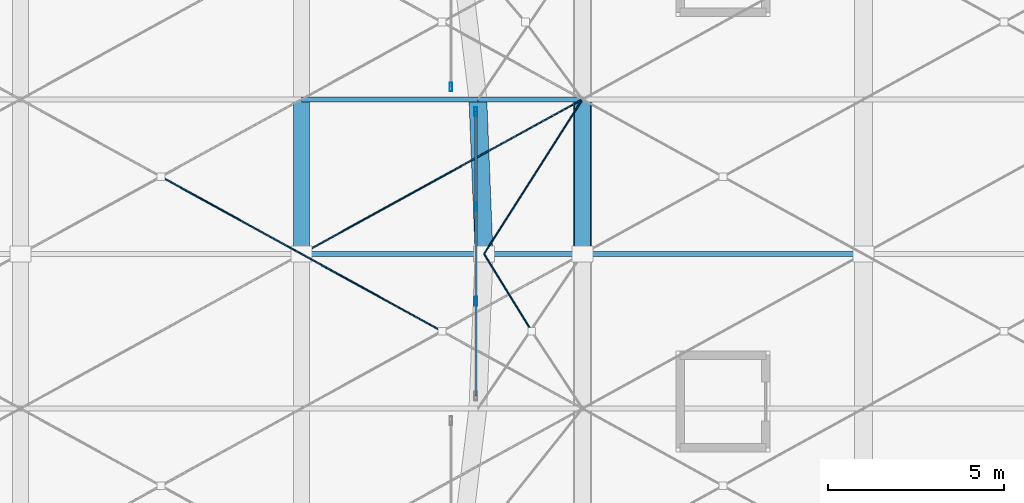
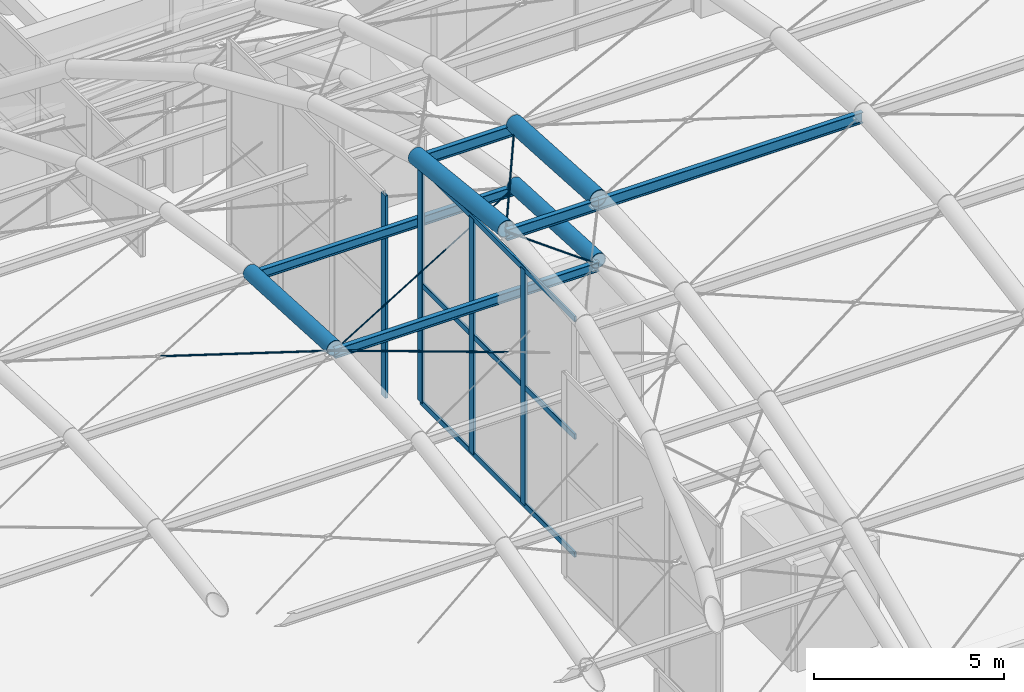
# One storey, part 45 of 163: 12 members, 9 beams, 2 elements without a shape of their own.
"""IFC4 building model written with IfcOpenShell, lengths in metres."""

import ifcopenshell
import ifcopenshell.guid

model = None  # the IFC model being written
_history = None  # IfcOwnerHistory: only IFC2X3 demands one
_inside = {}  # id of a spatial element -> (the spatial element, [elements in it])
_under = {}  # id of a project, library or spatial element -> (it, [spatial elements below it])
_declared = {}  # id of a project -> (the project, [libraries it declares])
_typed = {}  # id of a type object -> (the type object, [elements of that type])
_made_of = {}  # id of a material, layer set ... -> (it, [elements and type objects made of it])


def new_model(schema):
    """Start an empty IFC model of exactly this schema.

    Asked for "IFC4X3", IfcOpenShell would pick the latest addendum, in which some entities
    have other attributes; the version numbers below select the first issue.
    IFC2X3 requires an IfcOwnerHistory on every rooted entity: one is made here for all.
    """
    global model, _history
    if schema == "IFC4X3":
        model = ifcopenshell.file(schema_version=(4, 3, 0, 0))
    else:
        model = ifcopenshell.file(schema=schema)
    _inside.clear()
    _under.clear()
    _declared.clear()
    _typed.clear()
    _made_of.clear()
    _history = None
    if model.schema == "IFC2X3":
        org = make("IfcOrganization", Name="unknown")
        user = make(
            "IfcPersonAndOrganization",
            ThePerson=make("IfcPerson", FamilyName="unknown"),
            TheOrganization=org,
        )
        app = make(
            "IfcApplication",
            ApplicationDeveloper=org,
            Version="unknown",
            ApplicationFullName="unknown",
            ApplicationIdentifier="unknown",
        )
        _history = make(
            "IfcOwnerHistory",
            OwningUser=user,
            OwningApplication=app,
            ChangeAction="ADDED",
            CreationDate=0,
        )
    return model


def make(cls, **values):
    """One entity of the class cls with the attributes given. An attribute that is None is left unset."""
    return model.create_entity(
        cls, **{name: value for name, value in values.items() if value is not None}
    )


def rooted(cls, **values):
    """An entity with a GlobalId (a new one), such as an element, a storey or a relation."""
    return make(cls, GlobalId=ifcopenshell.guid.new(), OwnerHistory=_history, **values)


def si_unit(unit_type, name, prefix=None):
    """IfcSIUnit, for example si_unit("LENGTHUNIT", "METRE", prefix="MILLI")."""
    return make("IfcSIUnit", UnitType=unit_type, Prefix=prefix, Name=name)


def assignment(units):
    """IfcUnitAssignment: the units of a project."""
    return None if units is None else make("IfcUnitAssignment", Units=units)


def point(xyz):
    """IfcCartesianPoint."""
    return None if xyz is None else make("IfcCartesianPoint", Coordinates=xyz)


def direction(xyz):
    """IfcDirection."""
    return None if xyz is None else make("IfcDirection", DirectionRatios=xyz)


def frame(location, z_axis=None, x_axis=None):
    """IfcAxis2Placement3D, a coordinate frame: its origin and axes. An axis left out is left unset."""
    return make(
        "IfcAxis2Placement3D",
        Location=point(location),
        Axis=direction(z_axis),
        RefDirection=direction(x_axis),
    )


def frame_2d(location, x_axis=None):
    """IfcAxis2Placement2D, a coordinate frame in the plane: its origin and x axis."""
    return make(
        "IfcAxis2Placement2D", Location=point(location), RefDirection=direction(x_axis)
    )


def origin():
    """The frame at (0, 0, 0) with its axes left unset."""
    return frame((0.0, 0.0, 0.0))


def origin_2d():
    """The frame at (0, 0) in the plane with its x axis left unset."""
    return frame_2d((0.0, 0.0))


def place(relative_to, where):
    """IfcLocalPlacement: puts the frame where relative to a parent placement (None: the world)."""
    return make(
        "IfcLocalPlacement", PlacementRelTo=relative_to, RelativePlacement=where
    )


def context(
    kind, dimensions, precision=None, world=None, true_north=None, identifier=None
):
    """IfcGeometricRepresentationContext, for example the 3D "Model" context."""
    return make(
        "IfcGeometricRepresentationContext",
        ContextIdentifier=identifier,
        ContextType=kind,
        CoordinateSpaceDimension=dimensions,
        Precision=precision,
        WorldCoordinateSystem=world,
        TrueNorth=true_north,
    )


def subcontext(parent, identifier, kind, view, scale=None):
    """IfcGeometricRepresentationSubContext, for example "Body" below "Model"."""
    return make(
        "IfcGeometricRepresentationSubContext",
        ContextIdentifier=identifier,
        ContextType=kind,
        ParentContext=parent,
        TargetScale=scale,
        TargetView=view,
    )


def project(units=None, contexts=None):
    """IfcProject with its units and contexts."""
    return rooted(
        "IfcProject",
        Name="project",
        RepresentationContexts=contexts,
        UnitsInContext=assignment(units),
    )


def spatial(cls, under=None, at=None, **own):
    """A site, building, storey or space (cls), placed at a placement, below another one or the project."""
    s = rooted(cls, ObjectPlacement=at, **own)
    if under is not None:
        _under.setdefault(under.id(), (under, []))[1].append(s)
    return s


def profile(cls, at=None, kind="AREA", **sizes):
    """A parametric profile (cls). Its sizes go by their IFC names, for example OverallWidth=200.0."""
    return make(cls, ProfileType=kind, Position=at, **sizes)


def hollow_rectangle(**sizes):
    """IfcRectangleHollowProfileDef."""
    return profile("IfcRectangleHollowProfileDef", **sizes)


def circle(**sizes):
    """IfcCircleProfileDef."""
    return profile("IfcCircleProfileDef", **sizes)


def hollow_circle(**sizes):
    """IfcCircleHollowProfileDef."""
    return profile("IfcCircleHollowProfileDef", **sizes)


def i_section(**sizes):
    """IfcIShapeProfileDef."""
    return profile("IfcIShapeProfileDef", **sizes)


def extrude(swept, where, along, depth):
    """IfcExtrudedAreaSolid: the profile swept, set in the frame where, extruded along a direction by depth."""
    return make(
        "IfcExtrudedAreaSolid",
        SweptArea=swept,
        Position=where,
        ExtrudedDirection=direction(along),
        Depth=depth,
    )


def shape(context_of_items, identifier, shape_type, items):
    """IfcShapeRepresentation: the items that make up one representation, for example the "Body"."""
    return make(
        "IfcShapeRepresentation",
        ContextOfItems=context_of_items,
        RepresentationIdentifier=identifier,
        RepresentationType=shape_type,
        Items=items,
    )


def material(Name=None, Category=None):
    """IfcMaterial."""
    return make("IfcMaterial", Name=Name, Category=Category)


def material_profile(
    of_material, cross_section, Name=None, Category=None, Priority=None
):
    """IfcMaterialProfile: a cross section and its material."""
    return make(
        "IfcMaterialProfile",
        Name=Name,
        Material=of_material,
        Profile=cross_section,
        Priority=Priority,
        Category=Category,
    )


def profile_set(profiles, Name=None, composite=None):
    """IfcMaterialProfileSet."""
    return make(
        "IfcMaterialProfileSet",
        Name=Name,
        MaterialProfiles=profiles,
        CompositeProfile=composite,
    )


def made_of(thing, what):
    """Note that an element or type object is made of a material, layer set ...; save() writes the relation."""
    if what is not None:
        _made_of.setdefault(what.id(), (what, []))[1].append(thing)
    return thing


def type_object(cls, material=None, **own):
    """A type object (cls), such as IfcWallType, which elements share."""
    return made_of(rooted(cls, **own), material)


def element(
    cls,
    number,
    at=None,
    inside=None,
    cuts=None,
    type_object=None,
    material=None,
    context=None,
    identifier="Body",
    shape_type=None,
    held_by="IfcProductDefinitionShape",
    body=None,
    shapes=None,
    **own,
):
    """One element of the class cls, such as IfcWall. Its Tag is "e" and its number.

    at: its placement. inside: the storey or other place that contains it. cuts: it is an
    opening in that element (IfcRelVoidsElement). A single representation is given by context,
    identifier, shape_type and body (its items); several are given by shapes. held_by: the class
    of the entity that holds the representations. save() writes the other relations.
    """
    e = rooted(cls, Tag="e%d" % number, ObjectPlacement=at, **own)
    if body is not None:
        shapes = [shape(context, identifier, shape_type, body)]
    if shapes is not None:
        e.Representation = make(held_by, Representations=shapes)
    if inside is not None:
        _inside.setdefault(inside.id(), (inside, []))[1].append(e)
    if cuts is not None:
        rooted(
            "IfcRelVoidsElement", RelatingBuildingElement=cuts, RelatedOpeningElement=e
        )
    if type_object is not None:
        _typed.setdefault(type_object.id(), (type_object, []))[1].append(e)
    return made_of(e, material)


def aggregate(whole, parts):
    """IfcRelAggregates: a whole, such as a stair, and the parts it consists of."""
    return rooted("IfcRelAggregates", RelatingObject=whole, RelatedObjects=parts)


def save(model, path):
    """Write the relations noted so far, then the file.

    IfcRelAggregates (storeys below a building ...), IfcRelContainedInSpatialStructure (elements
    in a storey), IfcRelDefinesByType, IfcRelAssociatesMaterial and IfcRelDeclares: one each for
    every whole, place, type object, material and project.
    """
    for whole, parts in _under.values():
        aggregate(whole, parts)
    for where, things in _inside.values():
        rooted(
            "IfcRelContainedInSpatialStructure",
            RelatedElements=things,
            RelatingStructure=where,
        )
    for kind, things in _typed.values():
        rooted("IfcRelDefinesByType", RelatedObjects=things, RelatingType=kind)
    for what, things in _made_of.values():
        rooted("IfcRelAssociatesMaterial", RelatedObjects=things, RelatingMaterial=what)
    for by, libraries in _declared.values():
        rooted("IfcRelDeclares", RelatingContext=by, RelatedDefinitions=libraries)
    model.write(path)


model = new_model("IFC4")

# Units and contexts
model_context = context("Model", 3, precision=1e-05, world=origin(), true_north=direction((0.0, 1.0)))
body_context = subcontext(model_context, "Body", "Model", "MODEL_VIEW")
ifc_project = project(units=[si_unit("LENGTHUNIT", "METRE"), si_unit("AREAUNIT", "SQUARE_METRE"), si_unit("VOLUMEUNIT", "CUBIC_METRE"), si_unit("PLANEANGLEUNIT", "RADIAN"), si_unit("MASSUNIT", "GRAM", prefix="KILO")], contexts=[model_context])

# Site, building, storey
site_placement = place(None, origin())
site = spatial("IfcSite", under=ifc_project, at=site_placement, CompositionType="ELEMENT")
building_placement = place(site_placement, origin())
building = spatial("IfcBuilding", under=site, at=building_placement, Name="Varnabhumi Central Station", CompositionType="ELEMENT")
storey_placement = place(building_placement, frame((0.0, 0.0, 9.60009765625)))
storey = spatial("IfcBuildingStorey", under=building, at=storey_placement, Name="L02", CompositionType="ELEMENT", Elevation=9.60009765625)

# Beams
ifc_material_1 = material(Name="Structural steel E450", Category="steel")
ifc_material_profile_1 = material_profile(ifc_material_1, hollow_circle(Radius=0.228515625, WallThickness=0.01611328125, at=origin_2d()), Name="Structural steel E450", Category="steel")
ifc_profile_set_1 = profile_set([ifc_material_profile_1], Name="Structural steel E450")
beam_type_1 = type_object("IfcBeamType", Name="BM-ARCH-CHS457", PredefinedType="BEAM", material=ifc_profile_set_1)
for number, where, z_axis, x_axis, name in (
    (1, (72.0, 58.0, 10.75), (0.0, 0.998639632098, -0.052142930518), (-1.0, 0.0, 0.0), "Ticket Hall Vault Arch Rib 5 Seg 6"),
    (2, (80.0, 58.0, 10.75), (0.0, 0.998639632098, -0.052142930518), (-1.0, 0.0, 0.0), "Ticket Hall Vault Arch Rib 6 Seg 6"),
):
    element("IfcBeam", number, at=place(storey_placement, frame(where, z_axis=z_axis, x_axis=x_axis)), inside=storey, type_object=beam_type_1, Name=name, PredefinedType="BEAM", context=body_context, shape_type="SweptSolid", body=[
        extrude(hollow_circle(Radius=0.228515625, WallThickness=0.01611328125, at=origin_2d()), origin(), (0.0, 0.0, 1.0), 4.406005859375),
    ])
ifc_material_2 = material(Name="Structural steel E350", Category="steel")
ifc_material_profile_2 = material_profile(ifc_material_2, hollow_circle(Radius=0.25390625, WallThickness=0.02001953125, at=origin_2d()), Name="Structural steel E350", Category="steel")
ifc_profile_set_2 = profile_set([ifc_material_profile_2], Name="Structural steel E350")
beam_type_2 = type_object("IfcBeamType", Name="BM-ARCH-CHS508", PredefinedType="BEAM", material=ifc_profile_set_2)
beam_1_placement = place(storey_placement, frame((77.199951171875, 58.0, 12.75), z_axis=(-0.039792827484, 0.997421887225, -0.059716913568), x_axis=(-0.999205116003, -0.039863970614, 0.0)))
element("IfcBeam", 3, at=beam_1_placement, inside=storey, type_object=beam_type_2, Name="Departure Concourse Vault Arch Rib 1 Seg 6", PredefinedType="BEAM", context=body_context, shape_type="SweptSolid", body=[
    extrude(hollow_circle(Radius=0.25390625, WallThickness=0.02001953125, at=origin_2d()), origin(), (0.0, 0.0, 1.0), 4.411376953125),
])
beam_2_placement = place(storey_placement, frame((80.0, 58.0, 12.75), z_axis=(0.0, 0.998212519684, -0.059764249736), x_axis=(-1.0, 0.0, 0.0)))
element("IfcBeam", 4, at=beam_2_placement, inside=storey, type_object=beam_type_2, Name="Departure Concourse Vault Arch Rib 2 Seg 6", PredefinedType="BEAM", context=body_context, shape_type="SweptSolid", body=[
    extrude(hollow_circle(Radius=0.25390625, WallThickness=0.02001953125, at=origin_2d()), origin(), (0.0, 0.0, 1.0), 4.40771484375),
])
ifc_material_profile_3 = material_profile(ifc_material_2, i_section(OverallWidth=0.139892578125, OverallDepth=0.300048828125, WebThickness=0.0078125, FlangeThickness=0.01318359375, FilletRadius=0.013916015625, at=origin_2d()), Name="Structural steel E350", Category="steel")
ifc_profile_set_3 = profile_set([ifc_material_profile_3], Name="Structural steel E350")
beam_type_3 = type_object("IfcBeamType", Name="BM-PUR-ISMB300", PredefinedType="LINTEL", material=ifc_profile_set_3)
for number, where, z_axis, x_axis, name in (
    (5, (72.0, 58.0, 10.599853515625), (1.0, 0.0, 0.0), (0.0, 1.0, 0.0), "Ticket Hall Vault Purlin B5-L5"),
    (6, (72.0, 62.39990234375, 10.370361328125), (1.0, 0.0, 0.0), (0.0, 1.0, 0.0), "Ticket Hall Vault Purlin B5-L6"),
):
    element("IfcBeam", number, at=place(storey_placement, frame(where, z_axis=z_axis, x_axis=x_axis)), inside=storey, type_object=beam_type_3, Name=name, PredefinedType="LINTEL", context=body_context, shape_type="SweptSolid", body=[
        extrude(i_section(OverallWidth=0.139892578125, OverallDepth=0.300048828125, WebThickness=0.0078125, FlangeThickness=0.01318359375, FilletRadius=0.013916015625, at=origin_2d()), origin(), (0.0, 0.0, 1.0), 8.0),
    ])
ifc_material_profile_4 = material_profile(ifc_material_2, i_section(OverallWidth=0.139892578125, OverallDepth=0.35009765625, WebThickness=0.008056640625, FlangeThickness=0.01416015625, FilletRadius=0.013916015625, at=origin_2d()), Name="Structural steel E350", Category="steel")
ifc_profile_set_4 = profile_set([ifc_material_profile_4], Name="Structural steel E350")
beam_type_4 = type_object("IfcBeamType", Name="BM-PUR-ISMB350", PredefinedType="LINTEL", material=ifc_profile_set_4)
beam_3_placement = place(storey_placement, frame((77.199951171875, 58.0, 12.574951171875), z_axis=(1.0, 0.0, 0.0), x_axis=(0.0, 1.0, 0.0)))
element("IfcBeam", 7, at=beam_3_placement, inside=storey, type_object=beam_type_4, Name="Departure Concourse Vault Purlin B1-L5", PredefinedType="LINTEL", context=body_context, shape_type="SweptSolid", body=[
    extrude(i_section(OverallWidth=0.139892578125, OverallDepth=0.35009765625, WebThickness=0.008056640625, FlangeThickness=0.01416015625, FilletRadius=0.013916015625, at=origin_2d()), origin(), (0.0, 0.0, 1.0), 2.800048828125),
])
beam_4_placement = place(storey_placement, frame((77.0244140625, 62.39990234375, 12.3115234375), z_axis=(1.0, 0.0, 0.0), x_axis=(0.0, 1.0, 0.0)))
element("IfcBeam", 8, at=beam_4_placement, inside=storey, type_object=beam_type_4, Name="Departure Concourse Vault Purlin B1-L6", PredefinedType="LINTEL", context=body_context, shape_type="SweptSolid", body=[
    extrude(i_section(OverallWidth=0.139892578125, OverallDepth=0.35009765625, WebThickness=0.008056640625, FlangeThickness=0.01416015625, FilletRadius=0.013916015625, at=origin_2d()), origin(), (0.0, 0.0, 1.0), 2.9755859375),
])
beam_5_placement = place(storey_placement, frame((80.0, 58.0, 12.574951171875), z_axis=(1.0, 0.0, 0.0), x_axis=(0.0, 1.0, 0.0)))
element("IfcBeam", 9, at=beam_5_placement, inside=storey, type_object=beam_type_4, Name="Departure Concourse Vault Purlin B2-L5", PredefinedType="LINTEL", context=body_context, shape_type="SweptSolid", body=[
    extrude(i_section(OverallWidth=0.139892578125, OverallDepth=0.35009765625, WebThickness=0.008056640625, FlangeThickness=0.01416015625, FilletRadius=0.013916015625, at=origin_2d()), origin(), (0.0, 0.0, 1.0), 8.0),
])

# Curtain wall, members
ifc_material_3 = material(Name="Anodised aluminium 6063-T6", Category="aluminium")
curtain_wall_type = type_object("IfcCurtainWallType", Name="CW-VAULT-ARCH-V4", PredefinedType="NOTDEFINED", material=ifc_material_3)
curtain_wall_1_placement = place(storey_placement, origin())
curtain_wall_1 = element("IfcCurtainWall", 10, at=curtain_wall_1_placement, inside=storey, type_object=curtain_wall_type, Name="Curtain Wall CW-V43", PredefinedType="NOTDEFINED")
ifc_material_profile_5 = material_profile(ifc_material_3, hollow_rectangle(XDim=0.080078125, YDim=0.25, WallThickness=0.0048828125, InnerFilletRadius=0.0009765625, OuterFilletRadius=0.006103515625, at=origin_2d()), Name="Anodised aluminium 6063-T6", Category="aluminium")
ifc_profile_set_5 = profile_set([ifc_material_profile_5], Name="Anodised aluminium 6063-T6")
member_type_1 = type_object("IfcMemberType", Name="CW-MUL-250", PredefinedType="MULLION", material=ifc_profile_set_5)
member_1_placement = place(storey_placement, frame((76.967041015625, 56.64990234375, 4.849853515625), z_axis=(0.0, 0.0, 1.0), x_axis=(1.0, 0.0, 0.0)))
member_1 = element("IfcMember", 11, at=member_1_placement, type_object=member_type_1, Name="Curtain Wall Mullion CW-V43-M2", PredefinedType="MULLION", context=body_context, shape_type="SweptSolid", body=[
    extrude(hollow_rectangle(XDim=0.080078125, YDim=0.25, WallThickness=0.0048828125, InnerFilletRadius=0.0009765625, OuterFilletRadius=0.006103515625, at=origin_2d()), origin(), (0.0, 0.0, 1.0), 7.550048828125),
])
member_2_placement = place(storey_placement, frame((76.967041015625, 59.35009765625, 4.849853515625), z_axis=(0.0, 0.0, 1.0), x_axis=(1.0, 0.0, 0.0)))
member_2 = element("IfcMember", 12, at=member_2_placement, type_object=member_type_1, Name="Curtain Wall Mullion CW-V43-M3", PredefinedType="MULLION", context=body_context, shape_type="SweptSolid", body=[
    extrude(hollow_rectangle(XDim=0.080078125, YDim=0.25, WallThickness=0.0048828125, InnerFilletRadius=0.0009765625, OuterFilletRadius=0.006103515625, at=origin_2d()), origin(), (0.0, 0.0, 1.0), 7.550048828125),
])
member_3_placement = place(storey_placement, frame((76.967041015625, 62.050048828125, 4.849853515625), z_axis=(0.0, 0.0, 1.0), x_axis=(1.0, 0.0, 0.0)))
member_3 = element("IfcMember", 13, at=member_3_placement, type_object=member_type_1, Name="Curtain Wall Mullion CW-V43-M4", PredefinedType="MULLION", context=body_context, shape_type="SweptSolid", body=[
    extrude(hollow_rectangle(XDim=0.080078125, YDim=0.25, WallThickness=0.0048828125, InnerFilletRadius=0.0009765625, OuterFilletRadius=0.006103515625, at=origin_2d()), origin(), (0.0, 0.0, 1.0), 7.550048828125),
])

# Curtain wall, member
curtain_wall_2_placement = place(storey_placement, origin())
curtain_wall_2 = element("IfcCurtainWall", 14, at=curtain_wall_2_placement, inside=storey, type_object=curtain_wall_type, Name="Curtain Wall CW-V44", PredefinedType="NOTDEFINED")
member_4_placement = place(storey_placement, frame((76.258056640625, 62.75, 4.849853515625), z_axis=(0.0, 0.0, 1.0), x_axis=(1.0, 0.0, 0.0)))
member_4 = element("IfcMember", 15, at=member_4_placement, type_object=member_type_1, Name="Curtain Wall Mullion CW-V44-M1", PredefinedType="MULLION", context=body_context, shape_type="SweptSolid", body=[
    extrude(hollow_rectangle(XDim=0.080078125, YDim=0.25, WallThickness=0.0048828125, InnerFilletRadius=0.0009765625, OuterFilletRadius=0.006103515625, at=origin_2d()), origin(), (0.0, 0.0, 1.0), 6.487060546875),
])
aggregate(curtain_wall_2, [member_4])

# Member
ifc_material_profile_6 = material_profile(ifc_material_3, hollow_rectangle(XDim=0.06494140625, YDim=0.179931640625, WallThickness=0.00390625, InnerFilletRadius=0.001953125, OuterFilletRadius=0.006103515625, at=origin_2d()), Name="Anodised aluminium 6063-T6", Category="aluminium")
ifc_profile_set_6 = profile_set([ifc_material_profile_6], Name="Anodised aluminium 6063-T6")
member_type_2 = type_object("IfcMemberType", Name="CW-TR-180", PredefinedType="USERDEFINED", material=ifc_profile_set_6)
member_5_placement = place(storey_placement, frame((76.967041015625, 53.949951171875, 4.849853515625), z_axis=(0.0, 1.0, 0.0), x_axis=(-1.0, 0.0, 0.0)))
member_5 = element("IfcMember", 16, at=member_5_placement, type_object=member_type_2, Name="Curtain Wall Transom CW-V43-T1", ObjectType="TRANSOM", PredefinedType="USERDEFINED", context=body_context, shape_type="SweptSolid", body=[
    extrude(hollow_rectangle(XDim=0.06494140625, YDim=0.179931640625, WallThickness=0.00390625, InnerFilletRadius=0.001953125, OuterFilletRadius=0.006103515625, at=origin_2d()), origin(), (0.0, 0.0, 1.0), 8.10009765625),
])

member_6_placement = place(storey_placement, frame((76.967041015625, 53.949951171875, 8.625), z_axis=(0.0, 1.0, 0.0), x_axis=(-1.0, 0.0, 0.0)))
member_6 = element("IfcMember", 17, at=member_6_placement, type_object=member_type_2, Name="Curtain Wall Transom CW-V43-T2", ObjectType="TRANSOM", PredefinedType="USERDEFINED", context=body_context, shape_type="SweptSolid", body=[
    extrude(hollow_rectangle(XDim=0.06494140625, YDim=0.179931640625, WallThickness=0.00390625, InnerFilletRadius=0.001953125, OuterFilletRadius=0.006103515625, at=origin_2d()), origin(), (0.0, 0.0, 1.0), 8.10009765625),
])

member_7_placement = place(storey_placement, frame((76.967041015625, 53.949951171875, 12.39990234375), z_axis=(0.0, 1.0, 0.0), x_axis=(-1.0, 0.0, 0.0)))
member_7 = element("IfcMember", 18, at=member_7_placement, type_object=member_type_2, Name="Curtain Wall Transom CW-V43-T3", ObjectType="TRANSOM", PredefinedType="USERDEFINED", context=body_context, shape_type="SweptSolid", body=[
    extrude(hollow_rectangle(XDim=0.06494140625, YDim=0.179931640625, WallThickness=0.00390625, InnerFilletRadius=0.001953125, OuterFilletRadius=0.006103515625, at=origin_2d()), origin(), (0.0, 0.0, 1.0), 8.10009765625),
])

aggregate(curtain_wall_1, [member_1, member_2, member_3, member_5, member_6, member_7])

# Members
ifc_material_4 = material(Name="Spiral-strand steel S1570", Category="steel")
ifc_material_profile_7 = material_profile(ifc_material_4, circle(Radius=0.02099609375, at=origin_2d()), Name="Spiral-strand steel S1570", Category="steel")
ifc_profile_set_7 = profile_set([ifc_material_profile_7], Name="Spiral-strand steel S1570")
member_type_3 = type_object("IfcMemberType", Name="MBR-CABLE-D42", PredefinedType="USERDEFINED", material=ifc_profile_set_7)
for number, where, z_axis, x_axis, name in (
    (19, (68.0, 60.199951171875, 10.55517578125), (0.875943756378, -0.481758373335, 0.025127781097), (0.481910537812, 0.876220425204, 0.0), "Ticket Hall Vault Cable-Net Split Tie B4-P6B2"),
    (20, (72.0, 58.0, 10.669921875), (0.875943756378, -0.481758373335, -0.025127781097), (0.481910537812, 0.876220425204, 0.0), "Ticket Hall Vault Cable-Net Split Tie B5-P5B1"),
):
    element("IfcMember", number, at=place(storey_placement, frame(where, z_axis=z_axis, x_axis=x_axis)), inside=storey, type_object=member_type_3, Name=name, ObjectType="TENSION CABLE", PredefinedType="USERDEFINED", context=body_context, shape_type="SweptSolid", body=[
        extrude(circle(Radius=0.02099609375, at=origin_2d()), origin(), (0.0, 0.0, 1.0), 4.56640625),
    ])
member_8_placement = place(storey_placement, frame((72.0, 58.0, 10.669921875), z_axis=(0.875943167688, 0.481758049563, -0.025154495874), x_axis=(-0.481910537812, 0.876220425204, 0.0)))
element("IfcMember", 21, at=member_8_placement, inside=storey, type_object=member_type_3, Name="Ticket Hall Vault Cable-Net Tie B5-P6A", ObjectType="TENSION CABLE", PredefinedType="USERDEFINED", context=body_context, shape_type="SweptSolid", body=[
    extrude(circle(Radius=0.02099609375, at=origin_2d()), origin(), (0.0, 0.0, 1.0), 9.133056640625),
])
ifc_material_profile_8 = material_profile(ifc_material_4, circle(Radius=0.027099609375, at=origin_2d()), Name="Spiral-strand steel S1570", Category="steel")
ifc_profile_set_8 = profile_set([ifc_material_profile_8], Name="Spiral-strand steel S1570")
member_type_4 = type_object("IfcMemberType", Name="MBR-CABLE-D54", PredefinedType="USERDEFINED", material=ifc_profile_set_8)
member_9_placement = place(storey_placement, frame((77.199951171875, 58.0, 12.669921875), z_axis=(0.524085182961, -0.850140699129, -0.050946174401), x_axis=(0.851246126943, 0.524766644675, 0.0)))
element("IfcMember", 22, at=member_9_placement, inside=storey, type_object=member_type_4, Name="Departure Concourse Vault Cable-Net Split Tie B1-P5B1", ObjectType="TENSION CABLE", PredefinedType="USERDEFINED", context=body_context, shape_type="SweptSolid", body=[
    extrude(circle(Radius=0.027099609375, at=origin_2d()), origin(), (0.0, 0.0, 1.0), 2.587646484375),
])
member_10_placement = place(storey_placement, frame((77.199951171875, 58.0, 12.669921875), z_axis=(0.536207057451, 0.842577695474, -0.050446195395), x_axis=(-0.843651849763, 0.536890637273, 0.0)))
element("IfcMember", 23, at=member_10_placement, inside=storey, type_object=member_type_4, Name="Departure Concourse Vault Cable-Net Tie B1-P6A", ObjectType="TENSION CABLE", PredefinedType="USERDEFINED", context=body_context, shape_type="SweptSolid", body=[
    extrude(circle(Radius=0.027099609375, at=origin_2d()), origin(), (0.0, 0.0, 1.0), 5.221923828125),
])

save(model, "model.ifc")
